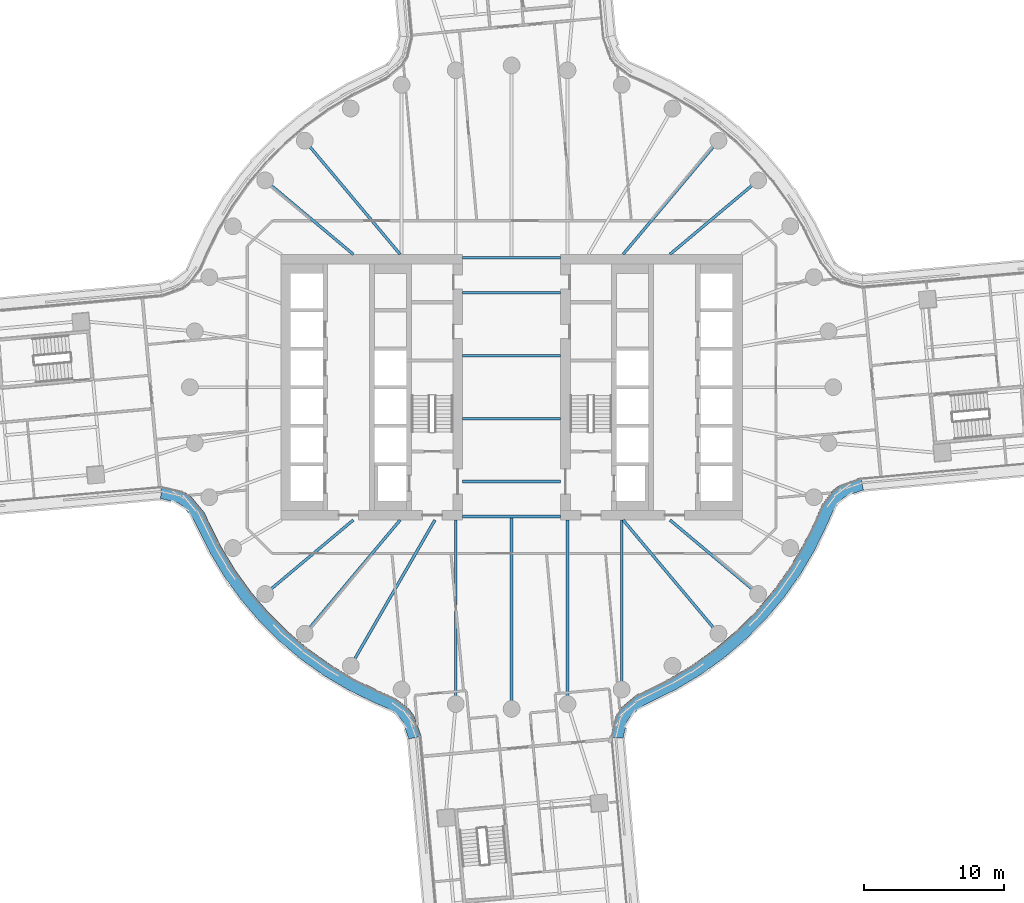
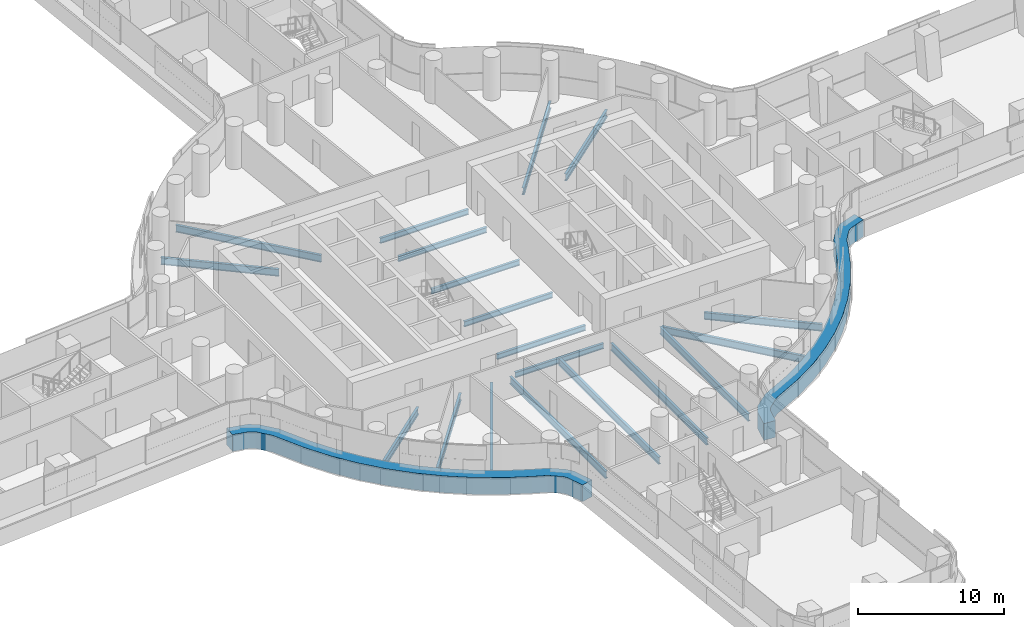
# One storey, part 8 of 31: 19 beams, 2 members, 2 elements without a shape of their own.
"""IFC4 building model written with IfcOpenShell, lengths in metres."""

from ifc_helpers import new_model, si_unit, direction, frame, origin, origin_2d, place, context, subcontext, project, spatial, polyline, i_section, outline, extrude, material, layer, layer_set, material_profile, profile_set, type_object, element, aggregate, save


model = new_model("IFC4")

# Units and contexts
model_context = context("Model", 3, precision=1e-05, world=origin(), true_north=direction((0.0, 1.0)))
body_context = subcontext(model_context, "Body", "Model", "MODEL_VIEW")
ifc_project = project(units=[si_unit("LENGTHUNIT", "METRE"), si_unit("AREAUNIT", "SQUARE_METRE"), si_unit("VOLUMEUNIT", "CUBIC_METRE"), si_unit("PLANEANGLEUNIT", "RADIAN"), si_unit("MASSUNIT", "GRAM", prefix="KILO")], contexts=[model_context])

# Site, building, storey
site_placement = place(None, origin())
site = spatial("IfcSite", under=ifc_project, at=site_placement, CompositionType="ELEMENT")
building_placement = place(site_placement, origin())
building = spatial("IfcBuilding", under=site, at=building_placement, Name="Tamarind Cross Interchange Tower", CompositionType="ELEMENT")
storey_placement = place(building_placement, frame((0.0, 0.0, 52.75)))
storey = spatial("IfcBuildingStorey", under=building, at=storey_placement, Name="L11", CompositionType="ELEMENT", Elevation=52.75)

# Beams
ifc_material_1 = material(Name="Steel Q355B", Category="steel")
ifc_material_profile_1 = material_profile(ifc_material_1, i_section(OverallWidth=0.198974609375, OverallDepth=0.446044921875, WebThickness=0.008056640625, FlangeThickness=0.011962890625, FilletRadius=0.012939453125, at=origin_2d()), Name="HN 446x199x8x12")
ifc_profile_set_1 = profile_set([ifc_material_profile_1], Name="Steel Q355B")
beam_type_1 = type_object("IfcBeamType", Name="Composite beam HN 446x199x8x12 Q355B", PredefinedType="BEAM", material=ifc_profile_set_1)
for number, where, z_axis, x_axis, name in (
    (1, (-3.5, -2.25, -0.363037109375), (1.0, 0.0, 0.0), (0.0, 1.0, 0.0), "Beam G-2.25"),
    (2, (-3.5, -6.75, -0.363037109375), (1.0, 0.0, 0.0), (0.0, 1.0, 0.0), "Beam G-6.75"),
    (3, (-3.5, -9.25, -0.363037109375), (1.0, 0.0, 0.0), (0.0, 1.0, 0.0), "Beam G-9.25"),
    (4, (-3.5, 2.25, -0.363037109375), (1.0, 0.0, 0.0), (0.0, 1.0, 0.0), "Beam G2.25"),
    (5, (-3.5, 6.75, -0.363037109375), (1.0, 0.0, 0.0), (0.0, 1.0, 0.0), "Beam G6.75"),
    (6, (-3.5, 9.25, -0.363037109375), (1.0, 0.0, 0.0), (0.0, 1.0, 0.0), "Beam G9.25"),
):
    element("IfcBeam", number, at=place(storey_placement, frame(where, z_axis=z_axis, x_axis=x_axis)), inside=storey, type_object=beam_type_1, Name=name, PredefinedType="BEAM", context=body_context, shape_type="SweptSolid", body=[
        extrude(i_section(OverallWidth=0.198974609375, OverallDepth=0.446044921875, WebThickness=0.008056640625, FlangeThickness=0.011962890625, FilletRadius=0.012939453125, at=origin_2d()), origin(), (0.0, 0.0, 1.0), 7.0),
    ])
ifc_material_profile_2 = material_profile(ifc_material_1, i_section(OverallWidth=0.198974609375, OverallDepth=0.595947265625, WebThickness=0.010009765625, FlangeThickness=0.014892578125, FilletRadius=0.012939453125, at=origin_2d()), Name="HN 596x199x10x15")
ifc_profile_set_2 = profile_set([ifc_material_profile_2], Name="Steel Q355B")
beam_type_2 = type_object("IfcBeamType", Name="Composite beam HN 596x199x10x15 Q355B", PredefinedType="BEAM", material=ifc_profile_set_2)
beam_1_placement = place(storey_placement, frame((17.619140625, 14.7841796875, -0.43798828125), z_axis=(-0.766040580814, -0.642792212574, 0.0), x_axis=(0.642792212574, -0.766040580814, 0.0)))
element("IfcBeam", 7, at=beam_1_placement, inside=storey, type_object=beam_type_2, Name="Beam HH04", PredefinedType="BEAM", context=body_context, shape_type="SweptSolid", body=[
    extrude(i_section(OverallWidth=0.198974609375, OverallDepth=0.595947265625, WebThickness=0.010009765625, FlangeThickness=0.014892578125, FilletRadius=0.012939453125, at=origin_2d()), origin(), (0.0, 0.0, 1.0), 8.220703125),
])
for number, where, z_axis, x_axis, name in (
    (8, (14.7841796875, 17.619140625, -0.43798828125), (-0.642786293979, -0.766045547127, 0.0), (0.766045547127, -0.642786293979, 0.0), "Beam HH05"),
    (9, (-14.7841796875, 17.619140625, -0.43798828125), (0.642786293979, -0.766045547127, 0.0), (0.766045547127, 0.642786293979, 0.0), "Beam HH13"),
):
    element("IfcBeam", number, at=place(storey_placement, frame(where, z_axis=z_axis, x_axis=x_axis)), inside=storey, type_object=beam_type_2, Name=name, PredefinedType="BEAM", context=body_context, shape_type="SweptSolid", body=[
        extrude(i_section(OverallWidth=0.198974609375, OverallDepth=0.595947265625, WebThickness=0.010009765625, FlangeThickness=0.014892578125, FilletRadius=0.012939453125, at=origin_2d()), origin(), (0.0, 0.0, 1.0), 10.598876953125),
    ])
for number, where, z_axis, x_axis, name in (
    (10, (-17.619140625, 14.7841796875, -0.43798828125), (0.766040580814, -0.642792212574, 0.0), (0.642792212574, 0.766040580814, 0.0), "Beam HH14"),
    (11, (-17.619140625, -14.7841796875, -0.43798828125), (0.766040580814, 0.642792212574, 0.0), (-0.642792212574, 0.766040580814, 0.0), "Beam HH22"),
):
    element("IfcBeam", number, at=place(storey_placement, frame(where, z_axis=z_axis, x_axis=x_axis)), inside=storey, type_object=beam_type_2, Name=name, PredefinedType="BEAM", context=body_context, shape_type="SweptSolid", body=[
        extrude(i_section(OverallWidth=0.198974609375, OverallDepth=0.595947265625, WebThickness=0.010009765625, FlangeThickness=0.014892578125, FilletRadius=0.012939453125, at=origin_2d()), origin(), (0.0, 0.0, 1.0), 8.220703125),
    ])
beam_2_placement = place(storey_placement, frame((-14.7841796875, -17.619140625, -0.43798828125), z_axis=(0.642786293979, 0.766045547127, 0.0), x_axis=(-0.766045547127, 0.642786293979, 0.0)))
element("IfcBeam", 12, at=beam_2_placement, inside=storey, type_object=beam_type_2, Name="Beam HH23", PredefinedType="BEAM", context=body_context, shape_type="SweptSolid", body=[
    extrude(i_section(OverallWidth=0.198974609375, OverallDepth=0.595947265625, WebThickness=0.010009765625, FlangeThickness=0.014892578125, FilletRadius=0.012939453125, at=origin_2d()), origin(), (0.0, 0.0, 1.0), 10.598876953125),
])
beam_3_placement = place(storey_placement, frame((-11.5, -19.918701171875, -0.43798828125), z_axis=(0.499993565836, 0.866029118519, 0.0), x_axis=(-0.866029118519, 0.499993565836, 0.0)))
element("IfcBeam", 13, at=beam_3_placement, inside=storey, type_object=beam_type_2, Name="Beam HH24", PredefinedType="BEAM", context=body_context, shape_type="SweptSolid", body=[
    extrude(i_section(OverallWidth=0.198974609375, OverallDepth=0.595947265625, WebThickness=0.010009765625, FlangeThickness=0.014892578125, FilletRadius=0.012939453125, at=origin_2d()), origin(), (0.0, 0.0, 1.0), 12.030517578125),
])
beam_4_placement = place(storey_placement, frame((-3.993896484375, -22.650634765625, -0.43798828125), z_axis=(0.0, 1.0, 0.0), x_axis=(-1.0, 0.0, 0.0)))
element("IfcBeam", 14, at=beam_4_placement, inside=storey, type_object=beam_type_2, Name="Beam HH26", PredefinedType="BEAM", context=body_context, shape_type="SweptSolid", body=[
    extrude(i_section(OverallWidth=0.198974609375, OverallDepth=0.595947265625, WebThickness=0.010009765625, FlangeThickness=0.014892578125, FilletRadius=0.012939453125, at=origin_2d()), origin(), (0.0, 0.0, 1.0), 13.150634765625),
])
beam_5_placement = place(storey_placement, frame((0.0, -23.0, -0.43798828125), z_axis=(0.0, 1.0, 0.0), x_axis=(-1.0, 0.0, 0.0)))
element("IfcBeam", 15, at=beam_5_placement, inside=storey, type_object=beam_type_2, Name="Beam HH27", PredefinedType="BEAM", context=body_context, shape_type="SweptSolid", body=[
    extrude(i_section(OverallWidth=0.198974609375, OverallDepth=0.595947265625, WebThickness=0.010009765625, FlangeThickness=0.014892578125, FilletRadius=0.012939453125, at=origin_2d()), origin(), (0.0, 0.0, 1.0), 13.75),
])
beam_6_placement = place(storey_placement, frame((3.993896484375, -22.650634765625, -0.43798828125), z_axis=(0.0, 1.0, 0.0), x_axis=(-1.0, 0.0, 0.0)))
element("IfcBeam", 16, at=beam_6_placement, inside=storey, type_object=beam_type_2, Name="Beam HH28", PredefinedType="BEAM", context=body_context, shape_type="SweptSolid", body=[
    extrude(i_section(OverallWidth=0.198974609375, OverallDepth=0.595947265625, WebThickness=0.010009765625, FlangeThickness=0.014892578125, FilletRadius=0.012939453125, at=origin_2d()), origin(), (0.0, 0.0, 1.0), 13.150634765625),
])
beam_7_placement = place(storey_placement, frame((7.866455078125, -21.613037109375, -0.43798828125), z_axis=(0.0, 1.0, 0.0), x_axis=(-1.0, 0.0, 0.0)))
element("IfcBeam", 17, at=beam_7_placement, inside=storey, type_object=beam_type_2, Name="Beam HH29", PredefinedType="BEAM", context=body_context, shape_type="SweptSolid", body=[
    extrude(i_section(OverallWidth=0.198974609375, OverallDepth=0.595947265625, WebThickness=0.010009765625, FlangeThickness=0.014892578125, FilletRadius=0.012939453125, at=origin_2d()), origin(), (0.0, 0.0, 1.0), 12.113037109375),
])
beam_8_placement = place(storey_placement, frame((14.7841796875, -17.619140625, -0.43798828125), z_axis=(-0.642786293979, 0.766045547127, 0.0), x_axis=(-0.766045547127, -0.642786293979, 0.0)))
element("IfcBeam", 18, at=beam_8_placement, inside=storey, type_object=beam_type_2, Name="Beam HH31", PredefinedType="BEAM", context=body_context, shape_type="SweptSolid", body=[
    extrude(i_section(OverallWidth=0.198974609375, OverallDepth=0.595947265625, WebThickness=0.010009765625, FlangeThickness=0.014892578125, FilletRadius=0.012939453125, at=origin_2d()), origin(), (0.0, 0.0, 1.0), 10.598876953125),
])
beam_9_placement = place(storey_placement, frame((17.619140625, -14.7841796875, -0.43798828125), z_axis=(-0.766040580814, 0.642792212574, 0.0), x_axis=(-0.642792212574, -0.766040580814, 0.0)))
element("IfcBeam", 19, at=beam_9_placement, inside=storey, type_object=beam_type_2, Name="Beam HH32", PredefinedType="BEAM", context=body_context, shape_type="SweptSolid", body=[
    extrude(i_section(OverallWidth=0.198974609375, OverallDepth=0.595947265625, WebThickness=0.010009765625, FlangeThickness=0.014892578125, FilletRadius=0.012939453125, at=origin_2d()), origin(), (0.0, 0.0, 1.0), 8.220703125),
])

# Curtain wall, member
ifc_material_2 = material(Name="Aluminium 6063-T6", Category="aluminium")
ifc_layer = layer(ifc_material_2, 0.159912109375)
ifc_layer_set = layer_set([ifc_layer], Name="Aluminium 6063-T6")
curtain_wall_type = type_object("IfcCurtainWallType", Name="Office curtain wall, 9.0 m bays", PredefinedType="NOTDEFINED", material=ifc_layer_set)
curtain_wall_1_placement = place(storey_placement, origin())
curtain_wall_1 = element("IfcCurtainWall", 20, at=curtain_wall_1_placement, inside=storey, type_object=curtain_wall_type, Name="CWS-L11-06", PredefinedType="NOTDEFINED")
ifc_material_3 = material(Name="Aluminium and insulated spandrel panel", Category="aluminium")
member_type = type_object("IfcMemberType", Name="Floor-edge blade transom", PredefinedType="USERDEFINED", material=ifc_material_3)
member_1_placement = place(storey_placement, origin())
member_1 = element("IfcMember", 21, at=member_1_placement, type_object=member_type, Name="CWT-L11-06", ObjectType="TRANSOM", PredefinedType="USERDEFINED", context=body_context, shape_type="SweptSolid", body=[
    extrude(outline(polyline([(-25.03173828125, -7.056640625), (-23.560302734375, -7.4033203125), (-22.952392578125, -7.779052734375), (-21.99267578125, -8.93115234375), (-21.6640625, -9.60107421875), (-20.791015625, -11.367431640625), (-19.78125, -13.045654296875), (-18.636474609375, -14.634521484375), (-17.3642578125, -16.12353515625), (-15.973388671875, -17.50244140625), (-14.4736328125, -18.76171875), (-12.874755859375, -19.892822265625), (-11.188232421875, -20.88818359375), (-9.419677734375, -21.7431640625), (-8.39990234375, -22.182861328125), (-7.36328125, -22.96923828125), (-6.988525390625, -23.467529296875), (-6.457763671875, -24.954833984375), (-7.34375, -25.150146484375), (-7.7900390625, -23.899169921875), (-8.007080078125, -23.610595703125), (-8.856689453125, -22.966064453125), (-9.7939453125, -22.56201171875), (-11.613525390625, -21.68212890625), (-13.3642578125, -20.64892578125), (-15.023681640625, -19.474853515625), (-16.580810546875, -18.167724609375), (-18.0244140625, -16.736572265625), (-19.344970703125, -15.19091796875), (-20.533203125, -13.54150390625), (-21.581298828125, -11.799560546875), (-22.471435546875, -9.99853515625), (-22.753173828125, -9.42431640625), (-23.55029296875, -8.467529296875), (-23.908935546875, -8.245849609375), (-25.0966796875, -7.966064453125), (-25.03173828125, -7.056640625)])), origin(), (0.0, 0.0, 1.0), 1.39990234375),
])
aggregate(curtain_wall_1, [member_1])

curtain_wall_2_placement = place(storey_placement, origin())
curtain_wall_2 = element("IfcCurtainWall", 22, at=curtain_wall_2_placement, inside=storey, type_object=curtain_wall_type, Name="CWS-L11-10", PredefinedType="NOTDEFINED")
member_2_placement = place(storey_placement, origin())
member_2 = element("IfcMember", 23, at=member_2_placement, type_object=member_type, Name="CWT-L11-10", ObjectType="TRANSOM", PredefinedType="USERDEFINED", context=body_context, shape_type="SweptSolid", body=[
    extrude(outline(polyline([(7.056640625, -25.03173828125), (7.4033203125, -23.560302734375), (7.779052734375, -22.952392578125), (8.93115234375, -21.99267578125), (9.60107421875, -21.6640625), (11.367431640625, -20.791015625), (13.045654296875, -19.78125), (14.634521484375, -18.636474609375), (16.12353515625, -17.3642578125), (17.50244140625, -15.973388671875), (18.76171875, -14.4736328125), (19.892822265625, -12.874755859375), (20.88818359375, -11.188232421875), (21.7431640625, -9.419677734375), (22.182861328125, -8.39990234375), (22.96923828125, -7.36328125), (23.467529296875, -6.988525390625), (24.954833984375, -6.457763671875), (25.150146484375, -7.34375), (23.899169921875, -7.7900390625), (23.610595703125, -8.007080078125), (22.966064453125, -8.856689453125), (22.56201171875, -9.7939453125), (21.68212890625, -11.613525390625), (20.64892578125, -13.3642578125), (19.474853515625, -15.023681640625), (18.167724609375, -16.580810546875), (16.736572265625, -18.0244140625), (15.19091796875, -19.344970703125), (13.54150390625, -20.533203125), (11.799560546875, -21.581298828125), (9.99853515625, -22.471435546875), (9.42431640625, -22.753173828125), (8.467529296875, -23.55029296875), (8.245849609375, -23.908935546875), (7.966064453125, -25.0966796875), (7.056640625, -25.03173828125)])), origin(), (0.0, 0.0, 1.0), 1.39990234375),
])
aggregate(curtain_wall_2, [member_2])

save(model, "model.ifc")
